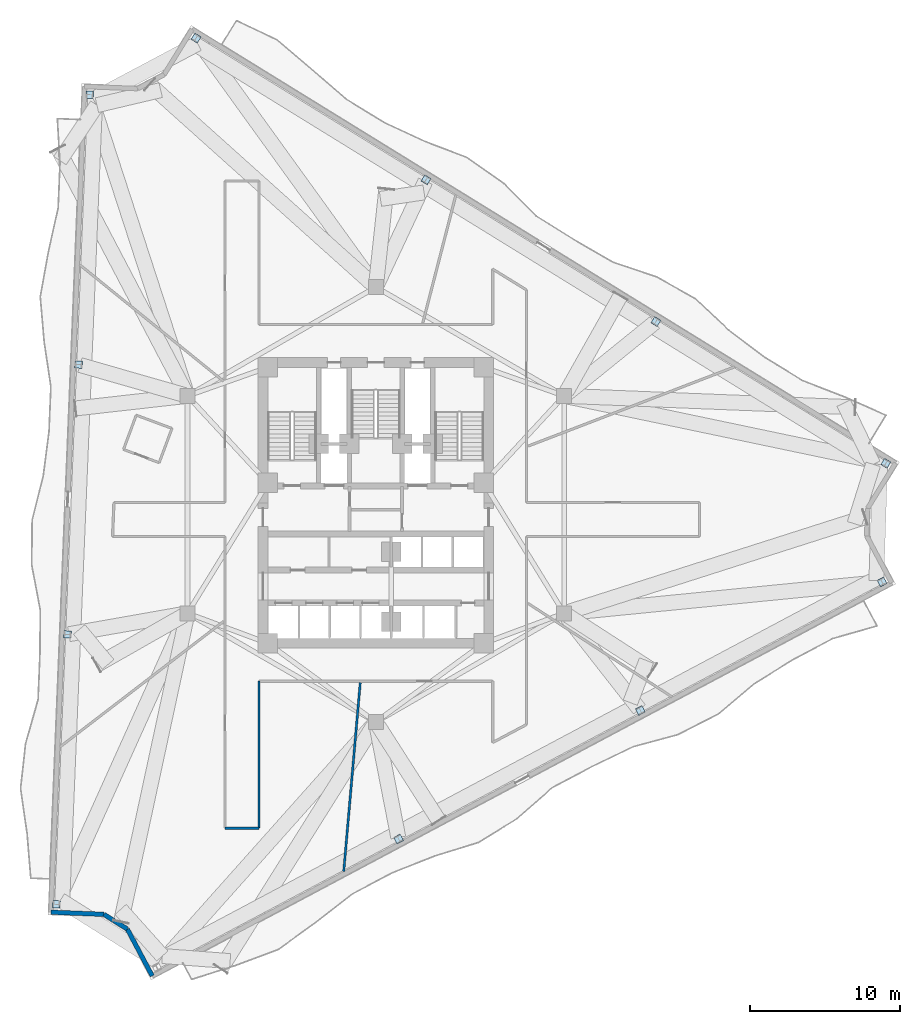
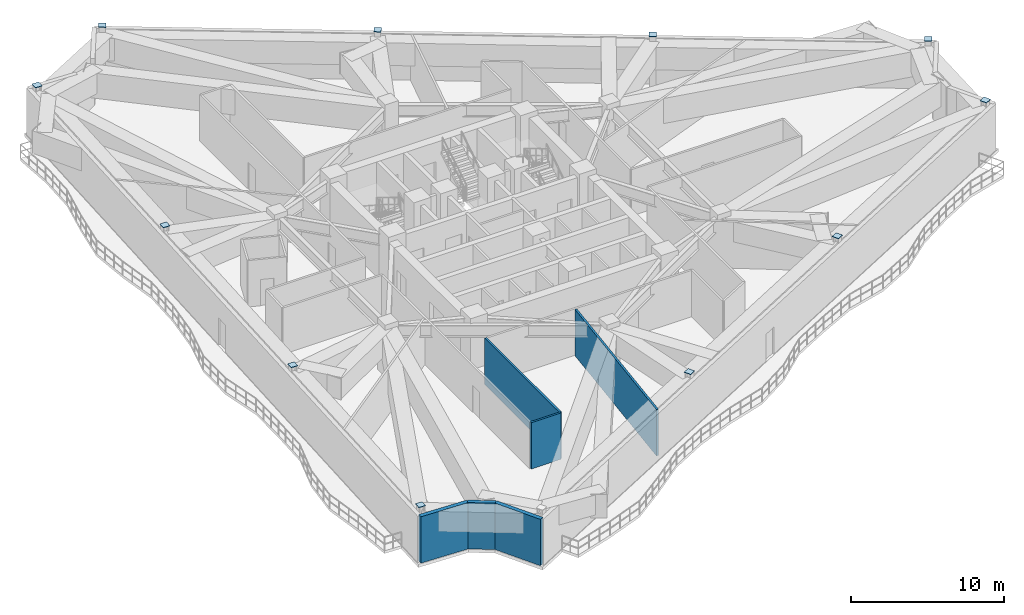
# One storey, part 7 of 14: 11 plates, 6 walls.
"""IFC4 building model written with IfcOpenShell, lengths in metres."""

from ifc_helpers import new_model, si_unit, direction, frame, frame_2d, origin, origin_2d, place, context, subcontext, project, spatial, rectangle, extrude, material, layer, layer_set, type_object, element, save


model = new_model("IFC4")

# Units and contexts
model_context = context("Model", 3, precision=1e-05, world=origin(), true_north=direction((0.0, 1.0)))
body_context = subcontext(model_context, "Body", "Model", "MODEL_VIEW")
ifc_project = project(units=[si_unit("LENGTHUNIT", "METRE"), si_unit("AREAUNIT", "SQUARE_METRE"), si_unit("VOLUMEUNIT", "CUBIC_METRE"), si_unit("PLANEANGLEUNIT", "RADIAN"), si_unit("MASSUNIT", "GRAM", prefix="KILO")], contexts=[model_context])

# Site, building, storey
site_placement = place(None, origin())
site = spatial("IfcSite", under=ifc_project, at=site_placement, CompositionType="ELEMENT")
building_placement = place(site_placement, origin())
building = spatial("IfcBuilding", under=site, at=building_placement, Name="Apsidion Concourse Tower", CompositionType="ELEMENT")
storey_placement = place(building_placement, frame((0.0, 0.0, 190.10009765625)))
storey = spatial("IfcBuildingStorey", under=building, at=storey_placement, Name="L44", CompositionType="ELEMENT", Elevation=190.10009765625)

# Plates
ifc_material_1 = material(Name="Structural steel ASTM A572 Grade 50", Category="steel")
ifc_layer_1 = layer(ifc_material_1, 0.034912109375)
ifc_layer_set_1 = layer_set([ifc_layer_1], Name="Structural steel ASTM A572 Grade 50")
plate_type = type_object("IfcPlateType", Name="PL-ENDCAP-35", PredefinedType="USERDEFINED", material=ifc_layer_set_1)
for number, where, z_axis, x_axis, name in (
    (1, (-19.086181640625, 27.331298828125, 4.097900390625), (0.0, 0.0, 1.0), (0.041003738744, 0.999158993058, 0.0), "L44 Step-Top Column End-Cap Plate PCCAP-PC01"),
    (2, (-19.82421875, 9.3349609375, 4.097900390625), (0.0, 0.0, 1.0), (0.041003738744, 0.999158993058, 0.0), "L44 Step-Top Column End-Cap Plate PCCAP-PC02"),
    (3, (-20.56201171875, -8.661376953125, 4.097900390625), (0.0, 0.0, 1.0), (0.041003738744, 0.999158993058, 0.0), "L44 Step-Top Column End-Cap Plate PCCAP-PC03"),
    (4, (-21.300048828125, -26.65771484375, 4.097900390625), (0.0, 0.0, 1.0), (0.041003738744, 0.999158993058, 0.0), "L44 Step-Top Column End-Cap Plate PCCAP-PC04"),
    (5, (1.519775390625, -22.302001953125, 4.097900390625), (0.0, 0.0, 1.0), (0.882947592859, 0.469471562786, 0.0), "L44 Step-Top Column End-Cap Plate PCCAP-PC06"),
    (6, (17.639404296875, -13.731201171875, 4.097900390625), (0.0, 0.0, 1.0), (0.882947592859, 0.469471562786, 0.0), "L44 Step-Top Column End-Cap Plate PCCAP-PC07"),
    (7, (33.7587890625, -5.160400390625, 4.097900390625), (0.0, 0.0, 1.0), (0.882947592859, 0.469471562786, 0.0), "L44 Step-Top Column End-Cap Plate PCCAP-PC08"),
    (8, (34.010986328125, 2.751708984375, 4.097900390625), (0.0, 0.0, 1.0), (-0.851269345923, 0.524728978323, 0.0), "L44 Step-Top Column End-Cap Plate PCCAP-PC09"),
    (9, (18.6787109375, 12.203369140625, 4.097900390625), (0.0, 0.0, 1.0), (-0.851269345923, 0.524728978323, 0.0), "L44 Step-Top Column End-Cap Plate PCCAP-PC10"),
    (10, (3.346435546875, 21.655029296875, 4.097900390625), (0.0, 0.0, 1.0), (-0.851269345923, 0.524728978323, 0.0), "L44 Step-Top Column End-Cap Plate PCCAP-PC11"),
    (11, (-11.98583984375, 31.106689453125, 4.097900390625), (0.0, 0.0, 1.0), (-0.851269345923, 0.524728978323, 0.0), "L44 Step-Top Column End-Cap Plate PCCAP-PC12"),
):
    element("IfcPlate", number, at=place(storey_placement, frame(where, z_axis=z_axis, x_axis=x_axis)), inside=storey, type_object=plate_type, Name=name, ObjectType="FLANGE_PLATE", PredefinedType="USERDEFINED", context=body_context, shape_type="SweptSolid", body=[
        extrude(rectangle(XDim=0.486083984375, YDim=0.4970703125, at=origin_2d()), origin(), (0.0, 0.0, 1.0), 0.0400390625),
    ])

# Walls
ifc_material_2 = material(Name="Precast concrete C40/50", Category="concrete")
ifc_layer_2 = layer(ifc_material_2, 0.300048828125)
ifc_layer_set_2 = layer_set([ifc_layer_2], Name="Precast concrete C40/50")
wall_type_1 = type_object("IfcWallType", Name="WL-EXT-300", PredefinedType="STANDARD", material=ifc_layer_set_2)
wall_1_placement = place(storey_placement, frame((-14.910400390625, -31.4345703125, 0.0), z_axis=(0.0, 0.0, 1.0), x_axis=(-0.469464339615, 0.882951433449, 0.0)))
element("IfcWall", 12, at=wall_1_placement, inside=storey, type_object=wall_type_1, Name="L44 Precast Stone Facade Wall 06", PredefinedType="STANDARD", context=body_context, shape_type="SweptSolid", body=[
    extrude(rectangle(XDim=3.54150390625, YDim=0.300048828125, at=frame_2d((1.770751953125, 0.0))), origin(), (0.0, 0.0, 1.0), 3.699951171875),
])
wall_2_placement = place(storey_placement, frame((-16.572998046875, -28.3076171875, 0.0), z_axis=(0.0, 0.0, 1.0), x_axis=(-0.846450132201, 0.53246800251, 0.0)))
element("IfcWall", 13, at=wall_2_placement, inside=storey, type_object=wall_type_1, Name="L44 Precast Stone Facade Wall 07", PredefinedType="STANDARD", context=body_context, shape_type="SweptSolid", body=[
    extrude(rectangle(XDim=1.838134765625, YDim=0.300048828125, at=frame_2d((0.9189453125, 0.0))), origin(), (0.0, 0.0, 1.0), 3.699951171875),
])
wall_3_placement = place(storey_placement, frame((-18.12890625, -27.328857421875, 0.0), z_axis=(0.0, 0.0, 1.0), x_axis=(-0.999166906151, 0.040810460083, 0.0)))
element("IfcWall", 14, at=wall_3_placement, inside=storey, type_object=wall_type_1, Name="L44 Precast Stone Facade Wall 08", PredefinedType="STANDARD", context=body_context, shape_type="SweptSolid", body=[
    extrude(rectangle(XDim=3.54150390625, YDim=0.300048828125, at=frame_2d((1.770751953125, 0.0))), origin(), (0.0, 0.0, 1.0), 3.699951171875),
])
ifc_material_3 = material(Name="Gypsum plasterboard partition")
ifc_layer_3 = layer(ifc_material_3, 0.14990234375)
ifc_layer_set_3 = layer_set([ifc_layer_3], Name="Gypsum plasterboard partition")
wall_type_2 = type_object("IfcWallType", Name="WL-INT-PAR-150", PredefinedType="PARTITIONING", material=ifc_layer_set_3)
wall_4_placement = place(storey_placement, frame((-7.7900390625, -11.77490234375, 0.0), z_axis=(0.0, 0.0, 1.0), x_axis=(0.0, -1.0, 0.0)))
element("IfcWall", 15, at=wall_4_placement, inside=storey, type_object=wall_type_2, Name="L44 Interior Partition WL-L44-CORR-04", PredefinedType="PARTITIONING", context=body_context, shape_type="SweptSolid", body=[
    extrude(rectangle(XDim=9.80517578125, YDim=0.14990234375, at=frame_2d((4.902587890625, 0.0))), origin(), (0.0, 0.0, 1.0), 3.699951171875),
])
wall_5_placement = place(storey_placement, frame((-7.7900390625, -21.580078125, 0.0), z_axis=(0.0, 0.0, 1.0), x_axis=(-1.0, 0.0, 0.0)))
element("IfcWall", 16, at=wall_5_placement, inside=storey, type_object=wall_type_2, Name="L44 Interior Partition WL-L44-CORR-05", PredefinedType="PARTITIONING", context=body_context, shape_type="SweptSolid", body=[
    extrude(rectangle(XDim=2.260009765625, YDim=0.14990234375, at=frame_2d((1.1298828125, 0.0))), origin(), (0.0, 0.0, 1.0), 3.699951171875),
])
wall_6_placement = place(storey_placement, frame((-1.039306640625, -11.8798828125, 0.0), z_axis=(0.0, 0.0, 1.0), x_axis=(-0.087151118592, -0.996195102642, 0.0)))
element("IfcWall", 17, at=wall_6_placement, inside=storey, type_object=wall_type_2, Name="L44 Interior Partition WL-L44-RAD-05-1", PredefinedType="PARTITIONING", context=body_context, shape_type="SweptSolid", body=[
    extrude(rectangle(XDim=12.625732421875, YDim=0.14990234375, at=frame_2d((6.31298828125, 0.0))), origin(), (0.0, 0.0, 1.0), 3.699951171875),
])

save(model, "model.ifc")
